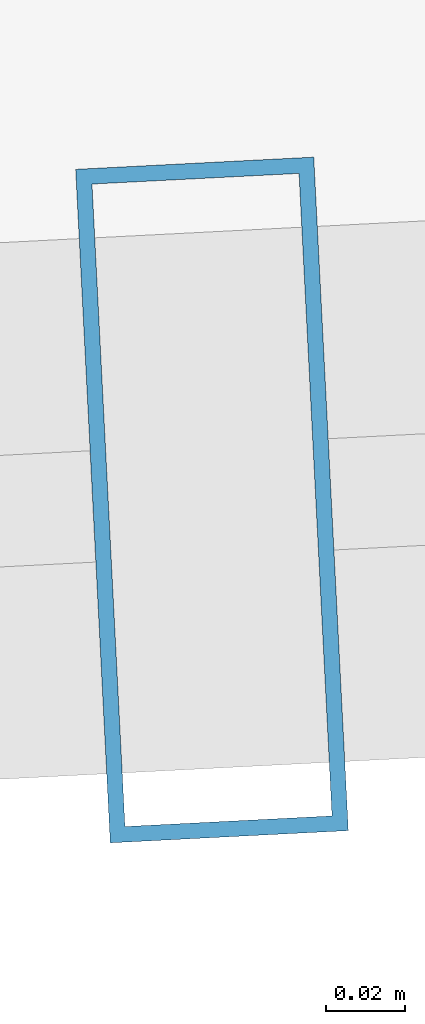
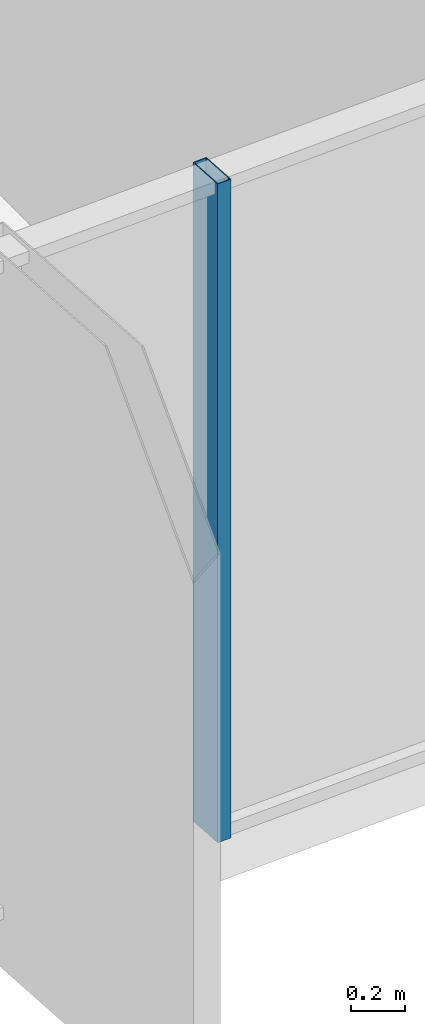
# One storey, part 8 of 37: 1 member, 1 element without a shape of its own.
"""IFC4 building model written with IfcOpenShell, lengths in metres."""

from ifc_helpers import new_model, si_unit, direction, frame, origin, origin_2d, place, context, subcontext, project, spatial, hollow_rectangle, extrude, source, transform, mapped, material, layer, layer_set, material_profile, profile_set, type_object, element, aggregate, save


model = new_model("IFC4")

# Units and contexts
model_context = context("Model", 3, precision=1e-05, world=origin(), true_north=direction((0.0, 1.0)))
body_context = subcontext(model_context, "Body", "Model", "MODEL_VIEW")
ifc_project = project(units=[si_unit("LENGTHUNIT", "METRE"), si_unit("AREAUNIT", "SQUARE_METRE"), si_unit("VOLUMEUNIT", "CUBIC_METRE"), si_unit("PLANEANGLEUNIT", "RADIAN"), si_unit("MASSUNIT", "GRAM", prefix="KILO")], contexts=[model_context])

# Site, building, storey
site_placement = place(None, origin())
site = spatial("IfcSite", under=ifc_project, at=site_placement, CompositionType="ELEMENT")
building_placement = place(site_placement, origin())
building = spatial("IfcBuilding", under=site, at=building_placement, Name="Veraguas Prism Commons", CompositionType="ELEMENT")
storey_placement = place(building_placement, frame((0.0, 0.0, 33.800048828125)))
storey = spatial("IfcBuildingStorey", under=building, at=storey_placement, Name="L08", CompositionType="ELEMENT", Elevation=33.800048828125)

# Curtain wall, member
ifc_material = material(Name="Anodised aluminium EN AW-6063 T6", Category="aluminium")
ifc_layer = layer(ifc_material, 0.169921875, Name="Unitised Flush Curtain Wall Zone 1", Category="aluminium")
ifc_layer_set = layer_set([ifc_layer], Name="Anodised aluminium EN AW-6063 T6")
curtain_wall_type = type_object("IfcCurtainWallType", Name="Unitised Flush Curtain Wall Zone 1", PredefinedType="NOTDEFINED", material=ifc_layer_set)
curtain_wall_placement = place(storey_placement, origin())
curtain_wall = element("IfcCurtainWall", 1, at=curtain_wall_placement, inside=storey, type_object=curtain_wall_type, Name="Tower Facade Curtain Wall L08-F5", PredefinedType="NOTDEFINED")
ifc_material_profile = material_profile(ifc_material, hollow_rectangle(XDim=0.06005859375, YDim=0.169921875, WallThickness=0.00390625, at=origin_2d()), Name="AL60X170X4")
ifc_profile_set = profile_set([ifc_material_profile], Name="Anodised aluminium EN AW-6063 T6")
member_type = type_object("IfcMemberType", Name="Curtain Wall Mullion Lower AL 60x170x4", PredefinedType="MULLION", material=ifc_profile_set)
shared_shape = source(origin(), body_context, "Body", "SweptSolid", [
    extrude(hollow_rectangle(XDim=0.06005859375, YDim=0.169921875, WallThickness=0.00390625, at=origin_2d()), origin(), (0.0, 0.0, 1.0), 3.0),
])
member_placement = place(storey_placement, frame((29.73095703125, 3.482421875, 0.0), z_axis=(0.0, 0.0, 1.0), x_axis=(0.99868379327, 0.051290165334, 0.0)))
member = element("IfcMember", 2, at=member_placement, type_object=member_type, Name="CW-Z1 Mullion 4", PredefinedType="MULLION", context=body_context, shape_type="MappedRepresentation", body=[
    mapped(shared_shape, transform((0.0, 0.0, 0.0), scale=1.0)),
])
aggregate(curtain_wall, [member])

save(model, "model.ifc")
